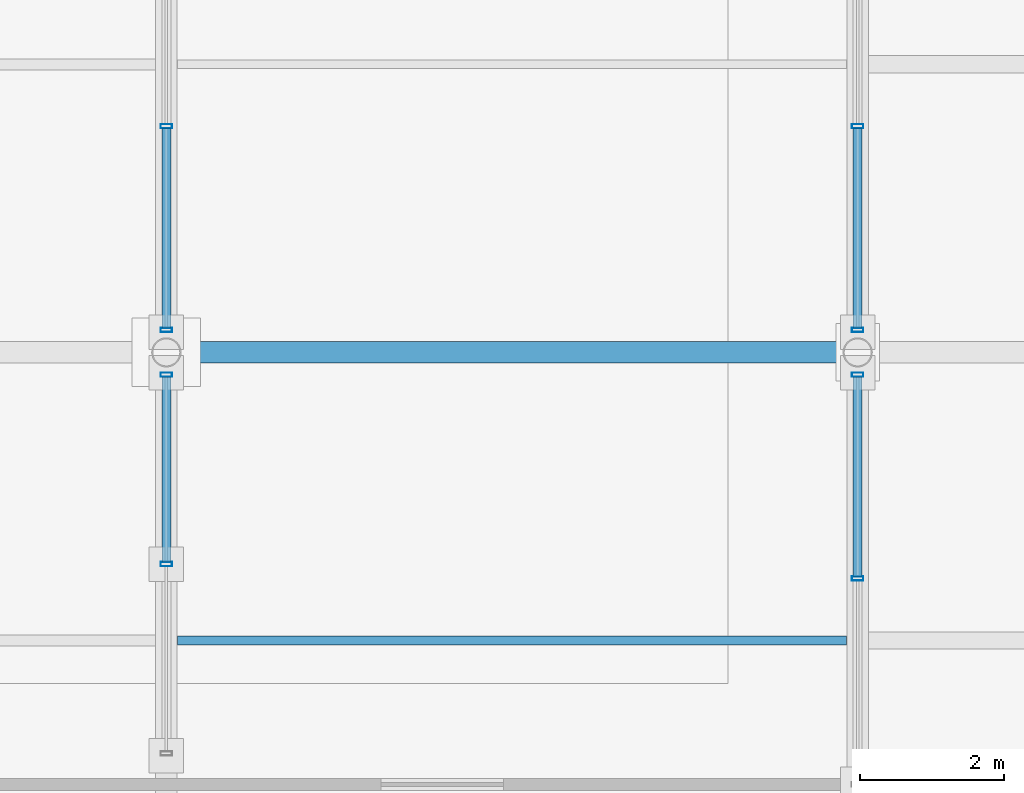
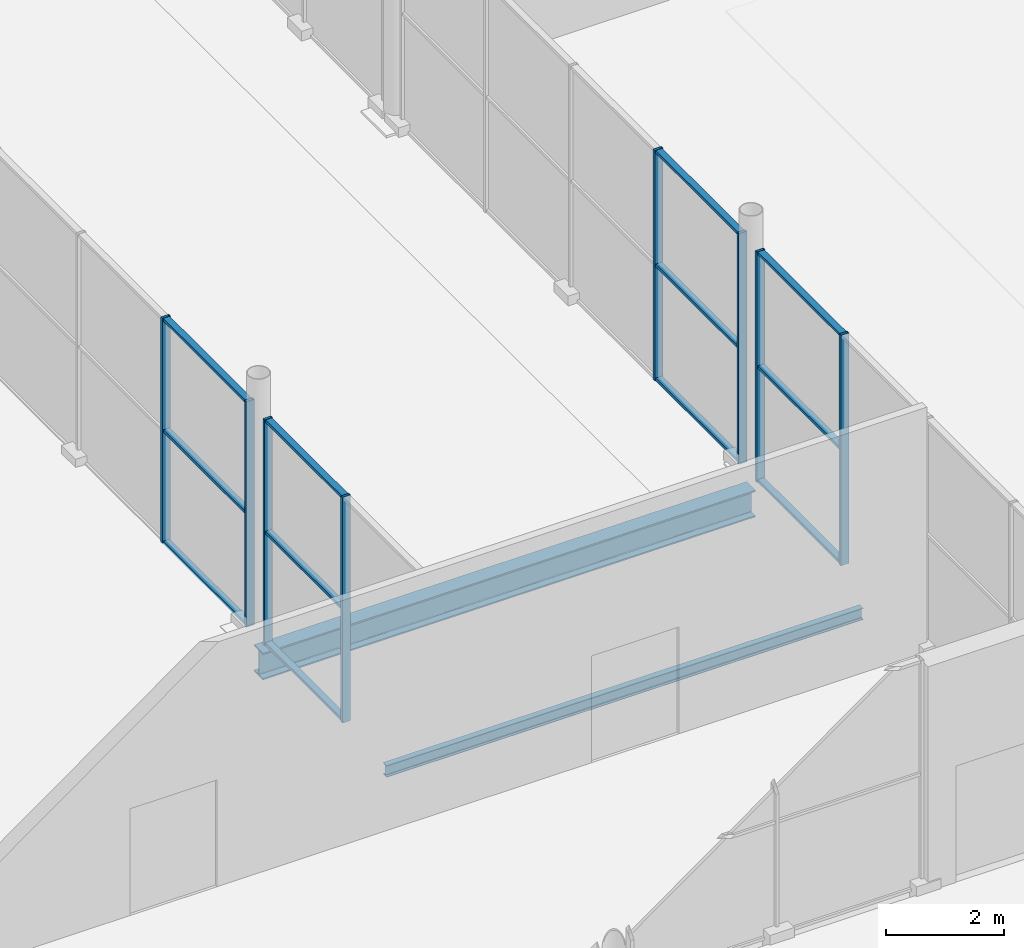
# One storey, part 63 of 196: 20 members, 2 beams, 4 elements without a shape of their own.
"""IFC4 building model written with IfcOpenShell, lengths in metres."""

from ifc_helpers import new_model, si_unit, direction, frame, origin, origin_2d, place, context, subcontext, project, spatial, hollow_rectangle, i_section, extrude, material, material_profile, profile_set, type_object, element, aggregate, save


model = new_model("IFC4")

# Units and contexts
model_context = context("Model", 3, precision=1e-05, world=origin(), true_north=direction((0.0, 1.0)))
body_context = subcontext(model_context, "Body", "Model", "MODEL_VIEW")
ifc_project = project(units=[si_unit("LENGTHUNIT", "METRE"), si_unit("AREAUNIT", "SQUARE_METRE"), si_unit("VOLUMEUNIT", "CUBIC_METRE"), si_unit("PLANEANGLEUNIT", "RADIAN"), si_unit("MASSUNIT", "GRAM", prefix="KILO")], contexts=[model_context])

# Site, building, storey
site_placement = place(None, origin())
site = spatial("IfcSite", under=ifc_project, at=site_placement, CompositionType="ELEMENT")
building_placement = place(site_placement, origin())
building = spatial("IfcBuilding", under=site, at=building_placement, Name="Merenkruunu Market Hall", CompositionType="ELEMENT")
storey_placement = place(building_placement, origin())
storey = spatial("IfcBuildingStorey", under=building, at=storey_placement, Name="L00", CompositionType="ELEMENT", Elevation=0.0)

# Curtain wall, members
ifc_material_1 = material(Name="Powder-coated aluminium", Category="aluminium")
curtain_wall_type_1 = type_object("IfcCurtainWallType", Name="Glazed Curtain Wall CW05", PredefinedType="USERDEFINED", material=ifc_material_1)
curtain_wall_1_placement = place(storey_placement, origin())
curtain_wall_1 = element("IfcCurtainWall", 1, at=curtain_wall_1_placement, inside=storey, type_object=curtain_wall_type_1, Name="CW-L00-CWM01-151", ObjectType="GLAZED_FACADE", PredefinedType="USERDEFINED")
ifc_material_profile_1 = material_profile(ifc_material_1, hollow_rectangle(XDim=0.06005859375, YDim=0.159912109375, WallThickness=0.00390625, at=origin_2d()), Name="ALU 60x160x4")
ifc_profile_set_1 = profile_set([ifc_material_profile_1], Name="Powder-coated aluminium")
member_type_1 = type_object("IfcMemberType", Name="Curtain Wall Mullion CWM01", PredefinedType="MULLION", material=ifc_profile_set_1)
member_1_placement = place(storey_placement, frame((76.800048828125, 24.4599609375, 0.0), z_axis=(0.0, 0.0, 1.0), x_axis=(0.0, 1.0, 0.0)))
member_1 = element("IfcMember", 2, at=member_1_placement, type_object=member_type_1, Name="CW05 mullion 4", PredefinedType="MULLION", context=body_context, shape_type="SweptSolid", body=[
    extrude(hollow_rectangle(XDim=0.06005859375, YDim=0.159912109375, WallThickness=0.00390625, at=origin_2d()), origin(), (0.0, 0.0, 1.0), 4.75),
])
member_2_placement = place(storey_placement, frame((76.800048828125, 27.2900390625, 0.0), z_axis=(0.0, 0.0, 1.0), x_axis=(0.0, 1.0, 0.0)))
member_2 = element("IfcMember", 3, at=member_2_placement, type_object=member_type_1, Name="CW05 mullion 5", PredefinedType="MULLION", context=body_context, shape_type="SweptSolid", body=[
    extrude(hollow_rectangle(XDim=0.06005859375, YDim=0.159912109375, WallThickness=0.00390625, at=origin_2d()), origin(), (0.0, 0.0, 1.0), 4.75),
])

curtain_wall_2_placement = place(storey_placement, origin())
curtain_wall_2 = element("IfcCurtainWall", 4, at=curtain_wall_2_placement, inside=storey, type_object=curtain_wall_type_1, Name="CW-L00-CWM01-152", ObjectType="GLAZED_FACADE", PredefinedType="USERDEFINED")
member_3_placement = place(storey_placement, frame((76.800048828125, 27.909912109375, 0.0), z_axis=(0.0, 0.0, 1.0), x_axis=(0.0, 1.0, 0.0)))
member_3 = element("IfcMember", 5, at=member_3_placement, type_object=member_type_1, Name="CW05 mullion 1", PredefinedType="MULLION", context=body_context, shape_type="SweptSolid", body=[
    extrude(hollow_rectangle(XDim=0.06005859375, YDim=0.159912109375, WallThickness=0.00390625, at=origin_2d()), origin(), (0.0, 0.0, 1.0), 4.75),
])
member_4_placement = place(storey_placement, frame((76.800048828125, 30.739990234375, 0.0), z_axis=(0.0, 0.0, 1.0), x_axis=(0.0, 1.0, 0.0)))
member_4 = element("IfcMember", 6, at=member_4_placement, type_object=member_type_1, Name="CW05 mullion 2", PredefinedType="MULLION", context=body_context, shape_type="SweptSolid", body=[
    extrude(hollow_rectangle(XDim=0.06005859375, YDim=0.159912109375, WallThickness=0.00390625, at=origin_2d()), origin(), (0.0, 0.0, 1.0), 4.75),
])

curtain_wall_type_2 = type_object("IfcCurtainWallType", Name="Glazed Curtain Wall CW15", PredefinedType="USERDEFINED", material=ifc_material_1)
curtain_wall_3_placement = place(storey_placement, origin())
curtain_wall_3 = element("IfcCurtainWall", 7, at=curtain_wall_3_placement, inside=storey, type_object=curtain_wall_type_2, Name="CW-L00-CWM01-168", ObjectType="GLAZED_FACADE", PredefinedType="USERDEFINED")
member_5_placement = place(storey_placement, frame((67.199951171875, 24.659912109375, 0.0), z_axis=(0.0, 0.0, 1.0), x_axis=(0.0, 1.0, 0.0)))
member_5 = element("IfcMember", 8, at=member_5_placement, type_object=member_type_1, Name="CW15 mullion 2", PredefinedType="MULLION", context=body_context, shape_type="SweptSolid", body=[
    extrude(hollow_rectangle(XDim=0.06005859375, YDim=0.159912109375, WallThickness=0.00390625, at=origin_2d()), origin(), (0.0, 0.0, 1.0), 4.64990234375),
])
member_6_placement = place(storey_placement, frame((67.199951171875, 27.2900390625, 0.0), z_axis=(0.0, 0.0, 1.0), x_axis=(0.0, 1.0, 0.0)))
member_6 = element("IfcMember", 9, at=member_6_placement, type_object=member_type_1, Name="CW15 mullion 3", PredefinedType="MULLION", context=body_context, shape_type="SweptSolid", body=[
    extrude(hollow_rectangle(XDim=0.06005859375, YDim=0.159912109375, WallThickness=0.00390625, at=origin_2d()), origin(), (0.0, 0.0, 1.0), 4.64990234375),
])

curtain_wall_4_placement = place(storey_placement, origin())
curtain_wall_4 = element("IfcCurtainWall", 10, at=curtain_wall_4_placement, inside=storey, type_object=curtain_wall_type_2, Name="CW-L00-CWM01-170", ObjectType="GLAZED_FACADE", PredefinedType="USERDEFINED")
member_7_placement = place(storey_placement, frame((67.199951171875, 27.909912109375, 0.0), z_axis=(0.0, 0.0, 1.0), x_axis=(0.0, 1.0, 0.0)))
member_7 = element("IfcMember", 11, at=member_7_placement, type_object=member_type_1, Name="CW15 mullion 1", PredefinedType="MULLION", context=body_context, shape_type="SweptSolid", body=[
    extrude(hollow_rectangle(XDim=0.06005859375, YDim=0.159912109375, WallThickness=0.00390625, at=origin_2d()), origin(), (0.0, 0.0, 1.0), 4.64990234375),
])
member_8_placement = place(storey_placement, frame((67.199951171875, 30.739990234375, 0.0), z_axis=(0.0, 0.0, 1.0), x_axis=(0.0, 1.0, 0.0)))
member_8 = element("IfcMember", 12, at=member_8_placement, type_object=member_type_1, Name="CW15 mullion 2", PredefinedType="MULLION", context=body_context, shape_type="SweptSolid", body=[
    extrude(hollow_rectangle(XDim=0.06005859375, YDim=0.159912109375, WallThickness=0.00390625, at=origin_2d()), origin(), (0.0, 0.0, 1.0), 4.64990234375),
])

# Member
ifc_material_profile_2 = material_profile(ifc_material_1, hollow_rectangle(XDim=0.06005859375, YDim=0.125, WallThickness=0.00390625, at=origin_2d()), Name="ALU 60x125x4")
ifc_profile_set_2 = profile_set([ifc_material_profile_2], Name="Powder-coated aluminium")
member_type_2 = type_object("IfcMemberType", Name="Curtain Wall Transom CWT01", PredefinedType="USERDEFINED", material=ifc_profile_set_2)
member_9_placement = place(storey_placement, frame((76.800048828125, 24.489990234375, 0.030029296875), z_axis=(0.0, 1.0, 0.0), x_axis=(0.0, 0.0, 1.0)))
member_9 = element("IfcMember", 13, at=member_9_placement, type_object=member_type_2, Name="CW05 transom 4.1", ObjectType="TRANSOM", PredefinedType="USERDEFINED", context=body_context, shape_type="SweptSolid", body=[
    extrude(hollow_rectangle(XDim=0.06005859375, YDim=0.125, WallThickness=0.00390625, at=origin_2d()), origin(), (0.0, 0.0, 1.0), 2.77001953125),
])

member_10_placement = place(storey_placement, frame((76.800048828125, 24.489990234375, 2.375), z_axis=(0.0, 1.0, 0.0), x_axis=(0.0, 0.0, 1.0)))
member_10 = element("IfcMember", 14, at=member_10_placement, type_object=member_type_2, Name="CW05 transom 4.2", ObjectType="TRANSOM", PredefinedType="USERDEFINED", context=body_context, shape_type="SweptSolid", body=[
    extrude(hollow_rectangle(XDim=0.06005859375, YDim=0.125, WallThickness=0.00390625, at=origin_2d()), origin(), (0.0, 0.0, 1.0), 2.77001953125),
])

member_11_placement = place(storey_placement, frame((76.800048828125, 24.489990234375, 4.719970703125), z_axis=(0.0, 1.0, 0.0), x_axis=(0.0, 0.0, 1.0)))
member_11 = element("IfcMember", 15, at=member_11_placement, type_object=member_type_2, Name="CW05 transom 4.3", ObjectType="TRANSOM", PredefinedType="USERDEFINED", context=body_context, shape_type="SweptSolid", body=[
    extrude(hollow_rectangle(XDim=0.06005859375, YDim=0.125, WallThickness=0.00390625, at=origin_2d()), origin(), (0.0, 0.0, 1.0), 2.77001953125),
])

aggregate(curtain_wall_1, [member_1, member_2, member_9, member_10, member_11])

member_12_placement = place(storey_placement, frame((76.800048828125, 27.93994140625, 0.030029296875), z_axis=(0.0, 1.0, 0.0), x_axis=(0.0, 0.0, 1.0)))
member_12 = element("IfcMember", 16, at=member_12_placement, type_object=member_type_2, Name="CW05 transom 1.1", ObjectType="TRANSOM", PredefinedType="USERDEFINED", context=body_context, shape_type="SweptSolid", body=[
    extrude(hollow_rectangle(XDim=0.06005859375, YDim=0.125, WallThickness=0.00390625, at=origin_2d()), origin(), (0.0, 0.0, 1.0), 2.77001953125),
])

member_13_placement = place(storey_placement, frame((76.800048828125, 27.93994140625, 2.375), z_axis=(0.0, 1.0, 0.0), x_axis=(0.0, 0.0, 1.0)))
member_13 = element("IfcMember", 17, at=member_13_placement, type_object=member_type_2, Name="CW05 transom 1.2", ObjectType="TRANSOM", PredefinedType="USERDEFINED", context=body_context, shape_type="SweptSolid", body=[
    extrude(hollow_rectangle(XDim=0.06005859375, YDim=0.125, WallThickness=0.00390625, at=origin_2d()), origin(), (0.0, 0.0, 1.0), 2.77001953125),
])

member_14_placement = place(storey_placement, frame((76.800048828125, 27.93994140625, 4.719970703125), z_axis=(0.0, 1.0, 0.0), x_axis=(0.0, 0.0, 1.0)))
member_14 = element("IfcMember", 18, at=member_14_placement, type_object=member_type_2, Name="CW05 transom 1.3", ObjectType="TRANSOM", PredefinedType="USERDEFINED", context=body_context, shape_type="SweptSolid", body=[
    extrude(hollow_rectangle(XDim=0.06005859375, YDim=0.125, WallThickness=0.00390625, at=origin_2d()), origin(), (0.0, 0.0, 1.0), 2.77001953125),
])

aggregate(curtain_wall_2, [member_3, member_4, member_12, member_13, member_14])

member_15_placement = place(storey_placement, frame((67.199951171875, 24.68994140625, 0.030029296875), z_axis=(0.0, 1.0, 0.0), x_axis=(0.0, 0.0, 1.0)))
member_15 = element("IfcMember", 19, at=member_15_placement, type_object=member_type_2, Name="CW15 transom 2.1", ObjectType="TRANSOM", PredefinedType="USERDEFINED", context=body_context, shape_type="SweptSolid", body=[
    extrude(hollow_rectangle(XDim=0.06005859375, YDim=0.125, WallThickness=0.00390625, at=origin_2d()), origin(), (0.0, 0.0, 1.0), 2.570068359375),
])

member_16_placement = place(storey_placement, frame((67.199951171875, 24.68994140625, 2.324951171875), z_axis=(0.0, 1.0, 0.0), x_axis=(0.0, 0.0, 1.0)))
member_16 = element("IfcMember", 20, at=member_16_placement, type_object=member_type_2, Name="CW15 transom 2.2", ObjectType="TRANSOM", PredefinedType="USERDEFINED", context=body_context, shape_type="SweptSolid", body=[
    extrude(hollow_rectangle(XDim=0.06005859375, YDim=0.125, WallThickness=0.00390625, at=origin_2d()), origin(), (0.0, 0.0, 1.0), 2.570068359375),
])

member_17_placement = place(storey_placement, frame((67.199951171875, 24.68994140625, 4.6201171875), z_axis=(0.0, 1.0, 0.0), x_axis=(0.0, 0.0, 1.0)))
member_17 = element("IfcMember", 21, at=member_17_placement, type_object=member_type_2, Name="CW15 transom 2.3", ObjectType="TRANSOM", PredefinedType="USERDEFINED", context=body_context, shape_type="SweptSolid", body=[
    extrude(hollow_rectangle(XDim=0.06005859375, YDim=0.125, WallThickness=0.00390625, at=origin_2d()), origin(), (0.0, 0.0, 1.0), 2.570068359375),
])

aggregate(curtain_wall_3, [member_5, member_6, member_15, member_16, member_17])

member_18_placement = place(storey_placement, frame((67.199951171875, 27.93994140625, 0.030029296875), z_axis=(0.0, 1.0, 0.0), x_axis=(0.0, 0.0, 1.0)))
member_18 = element("IfcMember", 22, at=member_18_placement, type_object=member_type_2, Name="CW15 transom 1.1", ObjectType="TRANSOM", PredefinedType="USERDEFINED", context=body_context, shape_type="SweptSolid", body=[
    extrude(hollow_rectangle(XDim=0.06005859375, YDim=0.125, WallThickness=0.00390625, at=origin_2d()), origin(), (0.0, 0.0, 1.0), 2.77001953125),
])

member_19_placement = place(storey_placement, frame((67.199951171875, 27.93994140625, 2.324951171875), z_axis=(0.0, 1.0, 0.0), x_axis=(0.0, 0.0, 1.0)))
member_19 = element("IfcMember", 23, at=member_19_placement, type_object=member_type_2, Name="CW15 transom 1.2", ObjectType="TRANSOM", PredefinedType="USERDEFINED", context=body_context, shape_type="SweptSolid", body=[
    extrude(hollow_rectangle(XDim=0.06005859375, YDim=0.125, WallThickness=0.00390625, at=origin_2d()), origin(), (0.0, 0.0, 1.0), 2.77001953125),
])

member_20_placement = place(storey_placement, frame((67.199951171875, 27.93994140625, 4.6201171875), z_axis=(0.0, 1.0, 0.0), x_axis=(0.0, 0.0, 1.0)))
member_20 = element("IfcMember", 24, at=member_20_placement, type_object=member_type_2, Name="CW15 transom 1.3", ObjectType="TRANSOM", PredefinedType="USERDEFINED", context=body_context, shape_type="SweptSolid", body=[
    extrude(hollow_rectangle(XDim=0.06005859375, YDim=0.125, WallThickness=0.00390625, at=origin_2d()), origin(), (0.0, 0.0, 1.0), 2.77001953125),
])

aggregate(curtain_wall_4, [member_7, member_8, member_18, member_19, member_20])

# Beams
ifc_material_2 = material(Name="Steel S355J2", Category="steel")
ifc_material_profile_3 = material_profile(ifc_material_2, i_section(OverallWidth=0.300048828125, OverallDepth=0.550048828125, WebThickness=0.014892578125, FlangeThickness=0.029052734375, FilletRadius=0.027099609375, at=origin_2d()), Name="HEB 550")
ifc_profile_set_3 = profile_set([ifc_material_profile_3], Name="Steel S355J2")
beam_type_1 = type_object("IfcBeamType", Name="Primary Floor Girder B02", PredefinedType="BEAM", material=ifc_profile_set_3)
beam_1_placement = place(storey_placement, frame((67.199951171875, 27.60009765625, -0.574951171875), z_axis=(1.0, 0.0, 0.0), x_axis=(0.0, 1.0, 0.0)))
element("IfcBeam", 25, at=beam_1_placement, inside=storey, type_object=beam_type_1, Name="BM-L00-B02-0034", PredefinedType="BEAM", context=body_context, shape_type="SweptSolid", body=[
    extrude(i_section(OverallWidth=0.300048828125, OverallDepth=0.550048828125, WebThickness=0.014892578125, FlangeThickness=0.029052734375, FilletRadius=0.027099609375, at=origin_2d()), origin(), (0.0, 0.0, 1.0), 9.60009765625),
])
ifc_material_profile_4 = material_profile(ifc_material_2, i_section(OverallWidth=0.1201171875, OverallDepth=0.239990234375, WebThickness=0.006103515625, FlangeThickness=0.009765625, FilletRadius=0.014892578125, at=origin_2d()), Name="IPE 240")
ifc_profile_set_4 = profile_set([ifc_material_profile_4], Name="Steel S355J2")
beam_type_2 = type_object("IfcBeamType", Name="Secondary Floor Joist J05", PredefinedType="JOIST", material=ifc_profile_set_4)
beam_2_placement = place(storey_placement, frame((67.35302734375, 23.60009765625, -0.419921875), z_axis=(1.0, 0.0, 0.0), x_axis=(0.0, 1.0, 0.0)))
element("IfcBeam", 26, at=beam_2_placement, inside=storey, type_object=beam_type_2, Name="BM-L00-J05-0361", PredefinedType="JOIST", context=body_context, shape_type="SweptSolid", body=[
    extrude(i_section(OverallWidth=0.1201171875, OverallDepth=0.239990234375, WebThickness=0.006103515625, FlangeThickness=0.009765625, FilletRadius=0.014892578125, at=origin_2d()), origin(), (0.0, 0.0, 1.0), 9.2939453125),
])

save(model, "model.ifc")
